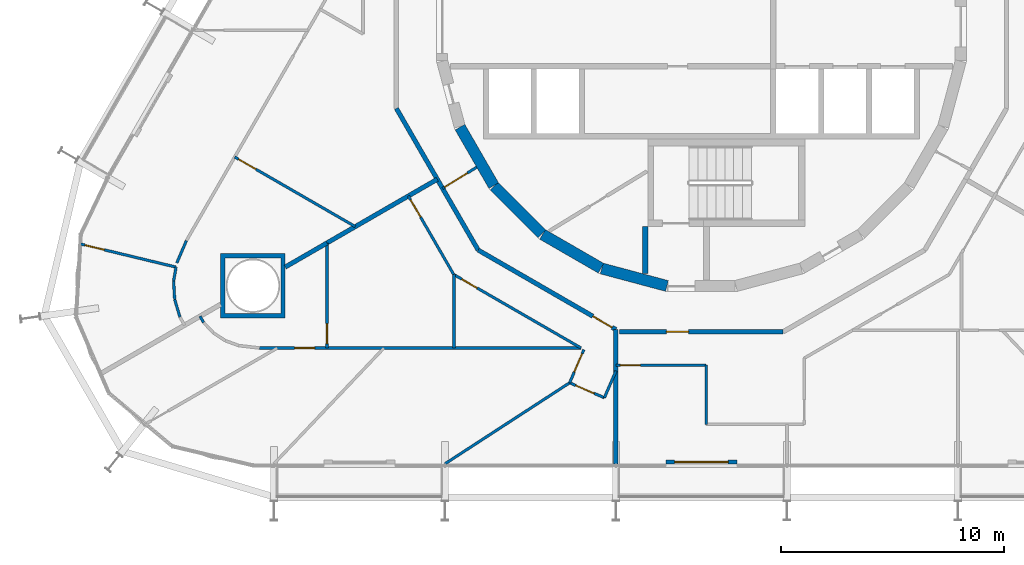
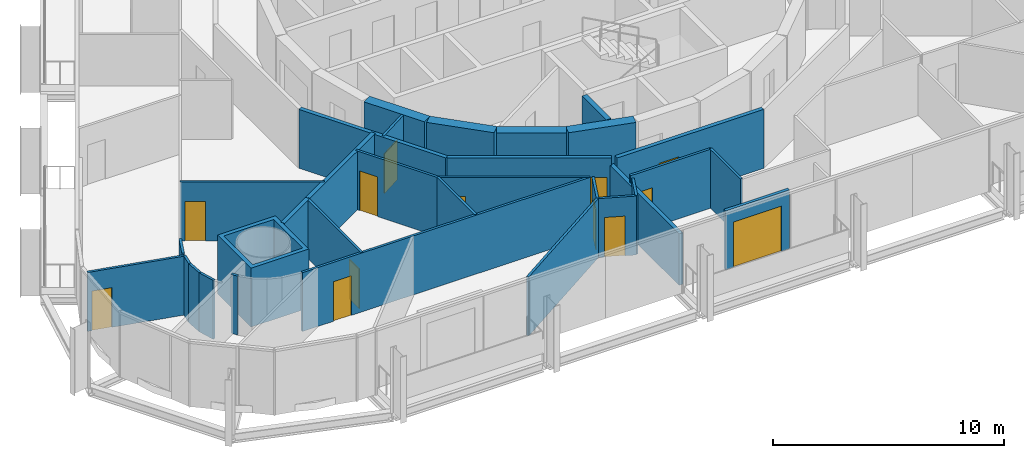
# One storey, part 13 of 21: 32 walls, 13 doors, 13 openings.
"""IFC4 building model written with IfcOpenShell, lengths in metres."""

from ifc_helpers import new_model, si_unit, direction, frame, frame_2d, origin, place, context, subcontext, project, spatial, polyline, rectangle, outline, extrude, material, layer, layer_set, type_object, element, fill, save


model = new_model("IFC4")

# Units and contexts
model_context = context("Model", 3, precision=1e-05, world=origin(), true_north=direction((0.0, 1.0)))
body_context = subcontext(model_context, "Body", "Model", "MODEL_VIEW")
ifc_project = project(units=[si_unit("LENGTHUNIT", "METRE"), si_unit("AREAUNIT", "SQUARE_METRE"), si_unit("VOLUMEUNIT", "CUBIC_METRE"), si_unit("PLANEANGLEUNIT", "RADIAN"), si_unit("MASSUNIT", "GRAM", prefix="KILO")], contexts=[model_context])

# Site, building, storey
site_placement = place(None, origin())
site = spatial("IfcSite", under=ifc_project, at=site_placement, CompositionType="ELEMENT")
building_placement = place(site_placement, origin())
building = spatial("IfcBuilding", under=site, at=building_placement, Name="Spindle Arch Residences", CompositionType="ELEMENT")
storey_placement = place(building_placement, frame((0.0, 0.0, 55.89990234375)))
storey = spatial("IfcBuildingStorey", under=building, at=storey_placement, Name="L12", CompositionType="ELEMENT", Elevation=55.89990234375)

# Walls
ifc_material_1 = material(Name="Concrete C50/60", Category="concrete")
ifc_layer_1 = layer(ifc_material_1, 0.5)
ifc_layer_set_1 = layer_set([ifc_layer_1], Name="Core outline wall 500")
wall_type_1 = type_object("IfcWallType", Name="Core outline wall 500", PredefinedType="SHEAR", material=ifc_layer_set_1)
wall_1_placement = place(storey_placement, frame((-10.84521484375, -4.510498046875, 0.0), z_axis=(0.0, 0.0, 1.0), x_axis=(0.500087131594, -0.865975092491, 0.0)))
element("IfcWall", 1, at=wall_1_placement, inside=storey, type_object=wall_type_1, Name="Core outline wall 20", PredefinedType="SHEAR", context=body_context, shape_type="SweptSolid", body=[
    extrude(rectangle(XDim=3.03271484375, YDim=0.5, at=frame_2d((1.516357421875, 0.0))), origin(), (0.0, 0.0, 1.0), 3.1201171875),
])
wall_2_placement = place(storey_placement, frame((-9.30810546875, -7.163818359375, 0.0), z_axis=(0.0, 0.0, 1.0), x_axis=(0.707106781187, -0.707106781187, 0.0)))
element("IfcWall", 2, at=wall_2_placement, inside=storey, type_object=wall_type_1, Name="Core outline wall 21", PredefinedType="SHEAR", context=body_context, shape_type="SweptSolid", body=[
    extrude(rectangle(XDim=3.032470703125, YDim=0.5, at=frame_2d((1.51611328125, 0.0))), origin(), (0.0, 0.0, 1.0), 3.1201171875),
])
for number, where, z_axis, x_axis, name in (
    (3, (-7.13671875, -9.32861328125, 0.0), (0.0, 0.0, 1.0), (0.865975092491, -0.500087131594, 0.0), "Core outline wall 22"),
    (4, (-4.479248046875, -10.858154296875, 0.0), (0.0, 0.0, 1.0), (0.965948410781, -0.258734743916, 0.0), "Core outline wall 23"),
):
    element("IfcWall", number, at=place(storey_placement, frame(where, z_axis=z_axis, x_axis=x_axis)), inside=storey, type_object=wall_type_1, Name=name, PredefinedType="SHEAR", context=body_context, shape_type="SweptSolid", body=[
        extrude(rectangle(XDim=3.03271484375, YDim=0.5, at=frame_2d((1.516357421875, 0.0))), origin(), (0.0, 0.0, 1.0), 3.1201171875),
    ])

# Wall, opening, door
ifc_material_2 = material(Name="Plasterboard on steel studs", Category="steel")
ifc_layer_2 = layer(ifc_material_2, 0.1201171875)
ifc_layer_set_2 = layer_set([ifc_layer_2], Name="Corridor division wall 120")
wall_type_2 = type_object("IfcWallType", Name="Corridor division wall 120", PredefinedType="PARTITIONING", material=ifc_layer_set_2)
wall_3_placement = place(storey_placement, frame((-11.625244140625, -7.264404296875, 0.0), z_axis=(0.0, 0.0, 1.0), x_axis=(0.84803632456, 0.529938102259, 0.0)))
wall_3 = element("IfcWall", 5, at=wall_3_placement, inside=storey, type_object=wall_type_2, Name="Corridor division wall R1B1-W003", PredefinedType="PARTITIONING", context=body_context, shape_type="SweptSolid", body=[
    extrude(rectangle(XDim=1.8037109375, YDim=0.1201171875, at=frame_2d((0.90185546875, 0.0))), origin(), (0.0, 0.0, 1.0), 3.1201171875),
])
opening_1_placement = place(wall_3_placement, frame((0.110107421875, 0.0, 0.0)))
opening_1 = element("IfcOpeningElement", 6, at=opening_1_placement, cuts=wall_3, Name="Opening R1B1-CD03", PredefinedType="OPENING", context=body_context, shape_type="SweptSolid", body=[
    extrude(rectangle(XDim=1.199951171875, YDim=2.10009765625, at=frame_2d((0.60009765625, 1.050048828125))), frame((0.0, 0.070068359375, 0.0), z_axis=(0.0, -1.0, 0.0), x_axis=(1.0, 0.0, 0.0)), (0.0, 0.0, 1.0), 0.14013671875),
])
ifc_material_3 = material(Name="Steel, fire-resisting door", Category="steel")
door_type_1 = type_object("IfcDoorType", Name="Corridor division door 1200x2100", OperationType="NOTDEFINED", PredefinedType="DOOR", material=ifc_material_3)
door_1_placement = place(opening_1_placement, origin())
door_1 = element("IfcDoor", 7, at=door_1_placement, inside=storey, type_object=door_type_1, Name="Corridor division door R1B1-CD03", OperationType="DOUBLE_DOOR_SINGLE_SWING", OverallHeight=2.10009765625, OverallWidth=1.199951171875, PredefinedType="DOOR", context=body_context, shape_type="SweptSolid", body=[
    extrude(rectangle(XDim=1.199951171875, YDim=2.10009765625, at=frame_2d((0.60009765625, 1.050048828125))), frame((0.0, 0.02490234375, 0.0), z_axis=(0.0, -1.0, 0.0), x_axis=(1.0, 0.0, 0.0)), (0.0, 0.0, 1.0), 0.050048828125),
])
fill(opening_1, door_1)

# Wall
ifc_material_4 = material(Name="Calcium silicate block, plastered")
ifc_layer_3 = layer(ifc_material_4, 0.199951171875)
ifc_layer_set_3 = layer_set([ifc_layer_3], Name="Corridor wall 200")
wall_type_3 = type_object("IfcWallType", Name="Corridor wall 200", PredefinedType="STANDARD", material=ifc_layer_set_3)
wall_4_placement = place(storey_placement, frame((-13.699951171875, -3.6708984375, 0.0), z_axis=(0.0, 0.0, 1.0), x_axis=(0.500001669485, -0.866024439905, 0.0)))
element("IfcWall", 8, at=wall_4_placement, inside=storey, type_object=wall_type_3, Name="Corridor wall R1B1-W012", PredefinedType="STANDARD", context=body_context, shape_type="SweptSolid", body=[
    extrude(rectangle(XDim=7.341796875, YDim=0.199951171875, at=frame_2d((3.6708984375, 0.0))), origin(), (0.0, 0.0, 1.0), 3.1201171875),
])

# Wall, opening, door
wall_5_placement = place(storey_placement, frame((-10.029052734375, -10.029052734375, 0.0), z_axis=(0.0, 0.0, 1.0), x_axis=(0.866022878987, -0.500004373052, 0.0)))
wall_5 = element("IfcWall", 9, at=wall_5_placement, inside=storey, type_object=wall_type_3, Name="Corridor wall R1B1-W013", PredefinedType="STANDARD", context=body_context, shape_type="SweptSolid", body=[
    extrude(rectangle(XDim=7.146484375, YDim=0.199951171875, at=frame_2d((3.5732421875, 0.0))), origin(), (0.0, 0.0, 1.0), 3.1201171875),
])
opening_2_placement = place(wall_5_placement, frame((5.946533203125, 0.0, 0.0)))
opening_2 = element("IfcOpeningElement", 10, at=opening_2_placement, cuts=wall_5, Name="Opening R1B1-FD04", PredefinedType="OPENING", context=body_context, shape_type="SweptSolid", body=[
    extrude(rectangle(XDim=1.0, YDim=2.10009765625, at=frame_2d((0.5, 1.050048828125))), frame((0.0, 0.10986328125, 0.0), z_axis=(0.0, -1.0, 0.0), x_axis=(1.0, 0.0, 0.0)), (0.0, 0.0, 1.0), 0.219970703125),
])
ifc_material_5 = material(Name="Timber, fire-resisting door set", Category="wood")
door_type_2 = type_object("IfcDoorType", Name="Flat entrance door 1000x2100", OperationType="NOTDEFINED", PredefinedType="DOOR", material=ifc_material_5)
door_2_placement = place(opening_2_placement, origin())
door_2 = element("IfcDoor", 11, at=door_2_placement, inside=storey, type_object=door_type_2, Name="Flat entrance door R1B1-FD04", OperationType="SINGLE_SWING_LEFT", OverallHeight=2.10009765625, OverallWidth=1.0, PredefinedType="DOOR", context=body_context, shape_type="SweptSolid", body=[
    extrude(rectangle(XDim=1.0, YDim=2.10009765625, at=frame_2d((0.5, 1.050048828125))), frame((0.0, 0.02490234375, 0.0), z_axis=(0.0, -1.0, 0.0), x_axis=(1.0, 0.0, 0.0)), (0.0, 0.0, 1.0), 0.050048828125),
])
fill(opening_2, door_2)

wall_6_placement = place(storey_placement, frame((-3.6708984375, -13.699951171875, 0.0), z_axis=(0.0, 0.0, 1.0), x_axis=(1.0, 0.0, 0.0)))
wall_6 = element("IfcWall", 12, at=wall_6_placement, inside=storey, type_object=wall_type_3, Name="Corridor wall R1B1-W014", PredefinedType="STANDARD", context=body_context, shape_type="SweptSolid", body=[
    extrude(rectangle(XDim=7.341796875, YDim=0.199951171875, at=frame_2d((3.6708984375, 0.0))), origin(), (0.0, 0.0, 1.0), 3.1201171875),
])
opening_3_placement = place(wall_6_placement, frame((2.10009765625, 0.0, 0.0)))
opening_3 = element("IfcOpeningElement", 13, at=opening_3_placement, cuts=wall_6, Name="Opening R1B1-FD05", PredefinedType="OPENING", context=body_context, shape_type="SweptSolid", body=[
    extrude(rectangle(XDim=1.0, YDim=2.10009765625, at=frame_2d((0.5, 1.050048828125))), frame((0.0, 0.10986328125, 0.0), z_axis=(0.0, -1.0, 0.0), x_axis=(1.0, 0.0, 0.0)), (0.0, 0.0, 1.0), 0.219970703125),
])
door_3_placement = place(opening_3_placement, origin())
door_3 = element("IfcDoor", 14, at=door_3_placement, inside=storey, type_object=door_type_2, Name="Flat entrance door R1B1-FD05", OperationType="SINGLE_SWING_LEFT", OverallHeight=2.10009765625, OverallWidth=1.0, PredefinedType="DOOR", context=body_context, shape_type="SweptSolid", body=[
    extrude(rectangle(XDim=1.0, YDim=2.10009765625, at=frame_2d((0.5, 1.050048828125))), frame((0.0, 0.02490234375, 0.0), z_axis=(0.0, -1.0, 0.0), x_axis=(1.0, 0.0, 0.0)), (0.0, 0.0, 1.0), 0.050048828125),
])
fill(opening_3, door_3)

ifc_material_6 = material(Name="Plasterboard on steel studs", Category="steel")
ifc_layer_4 = layer(ifc_material_6, 0.1201171875)
ifc_layer_set_4 = layer_set([ifc_layer_4], Name="Flat partition 120")
wall_type_4 = type_object("IfcWallType", Name="Flat partition 120", PredefinedType="PARTITIONING", material=ifc_layer_set_4)
wall_7_placement = place(storey_placement, frame((-20.96337890625, -5.849853515625, 0.0), z_axis=(0.0, 0.0, 1.0), x_axis=(0.866021746608, -0.500006334362, 0.0)))
wall_7 = element("IfcWall", 15, at=wall_7_placement, inside=storey, type_object=wall_type_4, Name="Flat partition R1B1-W069", PredefinedType="PARTITIONING", context=body_context, shape_type="SweptSolid", body=[
    extrude(rectangle(XDim=6.25341796875, YDim=0.1201171875, at=frame_2d((3.126708984375, 0.0))), origin(), (0.0, 0.0, 1.0), 3.1201171875),
])
opening_4_placement = place(wall_7_placement, frame((0.199951171875, 0.0, 0.0)))
opening_4 = element("IfcOpeningElement", 16, at=opening_4_placement, cuts=wall_7, Name="Opening R1B1-ID15", PredefinedType="OPENING", context=body_context, shape_type="SweptSolid", body=[
    extrude(rectangle(XDim=0.89990234375, YDim=2.10009765625, at=frame_2d((0.449951171875, 1.050048828125))), frame((0.0, 0.070068359375, 0.0), z_axis=(0.0, -1.0, 0.0), x_axis=(1.0, 0.0, 0.0)), (0.0, 0.0, 1.0), 0.14013671875),
])
ifc_material_7 = material(Name="Timber door set", Category="wood")
door_type_3 = type_object("IfcDoorType", Name="Room door 900x2100", OperationType="NOTDEFINED", PredefinedType="DOOR", material=ifc_material_7)
door_4_placement = place(opening_4_placement, origin())
door_4 = element("IfcDoor", 17, at=door_4_placement, inside=storey, type_object=door_type_3, Name="Room door R1B1-ID15", OperationType="SINGLE_SWING_RIGHT", OverallHeight=2.10009765625, OverallWidth=0.89990234375, PredefinedType="DOOR", context=body_context, shape_type="SweptSolid", body=[
    extrude(rectangle(XDim=0.89990234375, YDim=2.10009765625, at=frame_2d((0.449951171875, 1.050048828125))), frame((0.0, 0.02490234375, 0.0), z_axis=(0.0, -1.0, 0.0), x_axis=(1.0, 0.0, 0.0)), (0.0, 0.0, 1.0), 0.050048828125),
])
fill(opening_4, door_4)

# Wall
wall_8_placement = place(storey_placement, frame((-23.563720703125, -10.60595703125, 0.0), z_axis=(0.0, 0.0, 1.0), x_axis=(0.396195073027, 0.918166359713, 0.0)))
element("IfcWall", 18, at=wall_8_placement, inside=storey, type_object=wall_type_4, Name="Flat partition R1B1-W072", PredefinedType="PARTITIONING", context=body_context, shape_type="SweptSolid", body=[
    extrude(rectangle(XDim=1.0869140625, YDim=0.1201171875, at=frame_2d((0.54345703125, 0.0))), origin(), (0.0, 0.0, 1.0), 3.1201171875),
])

# Wall, opening, door
wall_9_placement = place(storey_placement, frame((-27.8828125, -9.76220703125, 0.0), z_axis=(0.0, 0.0, 1.0), x_axis=(0.972097015458, -0.234579181809, 0.0)))
wall_9 = element("IfcWall", 19, at=wall_9_placement, inside=storey, type_object=wall_type_4, Name="Flat partition R1B1-W073", PredefinedType="PARTITIONING", context=body_context, shape_type="SweptSolid", body=[
    extrude(rectangle(XDim=4.40869140625, YDim=0.1201171875, at=frame_2d((2.204345703125, 0.0))), origin(), (0.0, 0.0, 1.0), 3.1201171875),
])
opening_5_placement = place(wall_9_placement, frame((0.199951171875, 0.0, 0.0)))
opening_5 = element("IfcOpeningElement", 20, at=opening_5_placement, cuts=wall_9, Name="Opening R1B1-ID17", PredefinedType="OPENING", context=body_context, shape_type="SweptSolid", body=[
    extrude(rectangle(XDim=0.89990234375, YDim=2.10009765625, at=frame_2d((0.449951171875, 1.050048828125))), frame((0.0, 0.070068359375, 0.0), z_axis=(0.0, -1.0, 0.0), x_axis=(1.0, 0.0, 0.0)), (0.0, 0.0, 1.0), 0.14013671875),
])
door_5_placement = place(opening_5_placement, origin())
door_5 = element("IfcDoor", 21, at=door_5_placement, inside=storey, type_object=door_type_3, Name="Room door R1B1-ID17", OperationType="SINGLE_SWING_RIGHT", OverallHeight=2.10009765625, OverallWidth=0.89990234375, PredefinedType="DOOR", context=body_context, shape_type="SweptSolid", body=[
    extrude(rectangle(XDim=0.89990234375, YDim=2.10009765625, at=frame_2d((0.449951171875, 1.050048828125))), frame((0.0, 0.02490234375, 0.0), z_axis=(0.0, -1.0, 0.0), x_axis=(1.0, 0.0, 0.0)), (0.0, 0.0, 1.0), 0.050048828125),
])
fill(opening_5, door_5)

# Walls
wall_10_placement = place(storey_placement, frame((-23.59716796875, -10.79638671875, 0.0), z_axis=(0.0, 0.0, 1.0), x_axis=(-0.173610040386, -0.984814476882, 0.0)))
element("IfcWall", 22, at=wall_10_placement, inside=storey, type_object=wall_type_4, Name="Flat partition R1B1-W074", PredefinedType="PARTITIONING", context=body_context, shape_type="SweptSolid", body=[
    extrude(rectangle(XDim=0.6357421875, YDim=0.1201171875, at=frame_2d((0.31787109375, 0.0))), origin(), (0.0, 0.0, 1.0), 3.1201171875),
])
wall_11_placement = place(storey_placement, frame((-23.70751953125, -11.42236328125, 0.0), z_axis=(0.0, 0.0, 1.0), x_axis=(0.058031280246, -0.998314765248, 0.0)))
element("IfcWall", 23, at=wall_11_placement, inside=storey, type_object=wall_type_4, Name="Flat partition R1B1-W075", PredefinedType="PARTITIONING", context=body_context, shape_type="SweptSolid", body=[
    extrude(rectangle(XDim=0.828857421875, YDim=0.1201171875, at=frame_2d((0.41455078125, 0.0))), origin(), (0.0, 0.0, 1.0), 3.1201171875),
])
wall_12_placement = place(storey_placement, frame((-23.659423828125, -12.249755859375, 0.0), z_axis=(0.0, 0.0, 1.0), x_axis=(0.286834510868, -0.957980147694, 0.0)))
element("IfcWall", 24, at=wall_12_placement, inside=storey, type_object=wall_type_4, Name="Flat partition R1B1-W076", PredefinedType="PARTITIONING", context=body_context, shape_type="SweptSolid", body=[
    extrude(rectangle(XDim=0.8291015625, YDim=0.1201171875, at=frame_2d((0.41455078125, 0.0))), origin(), (0.0, 0.0, 1.0), 3.1201171875),
])

# Wall, opening, door
wall_13_placement = place(storey_placement, frame((-13.16357421875, -7.60009765625, 0.0), z_axis=(0.0, 0.0, 1.0), x_axis=(0.500000928893, -0.866024867487, 0.0)))
wall_13 = element("IfcWall", 25, at=wall_13_placement, inside=storey, type_object=wall_type_4, Name="Flat partition R1B1-W078", PredefinedType="PARTITIONING", context=body_context, shape_type="SweptSolid", body=[
    extrude(rectangle(XDim=4.07275390625, YDim=0.1201171875, at=frame_2d((2.036376953125, 0.0))), origin(), (0.0, 0.0, 1.0), 3.1201171875),
])
opening_6_placement = place(wall_13_placement, frame((0.199951171875, 0.0, 0.0)))
opening_6 = element("IfcOpeningElement", 26, at=opening_6_placement, cuts=wall_13, Name="Opening R1B1-ID18", PredefinedType="OPENING", context=body_context, shape_type="SweptSolid", body=[
    extrude(rectangle(XDim=0.89990234375, YDim=2.10009765625, at=frame_2d((0.449951171875, 1.050048828125))), frame((0.0, 0.070068359375, 0.0), z_axis=(0.0, -1.0, 0.0), x_axis=(1.0, 0.0, 0.0)), (0.0, 0.0, 1.0), 0.14013671875),
])
door_6_placement = place(opening_6_placement, origin())
door_6 = element("IfcDoor", 27, at=door_6_placement, inside=storey, type_object=door_type_3, Name="Room door R1B1-ID18", OperationType="SINGLE_SWING_LEFT", OverallHeight=2.10009765625, OverallWidth=0.89990234375, PredefinedType="DOOR", context=body_context, shape_type="SweptSolid", body=[
    extrude(rectangle(XDim=0.89990234375, YDim=2.10009765625, at=frame_2d((0.449951171875, 1.050048828125))), frame((0.0, 0.02490234375, 0.0), z_axis=(0.0, -1.0, 0.0), x_axis=(1.0, 0.0, 0.0)), (0.0, 0.0, 1.0), 0.050048828125),
])
fill(opening_6, door_6)

wall_14_placement = place(storey_placement, frame((-5.2802734375, -14.5029296875, 0.0), z_axis=(0.0, 0.0, 1.0), x_axis=(-0.395209511122, -0.918591009274, 0.0)))
wall_14 = element("IfcWall", 28, at=wall_14_placement, inside=storey, type_object=wall_type_4, Name="Flat partition R1B1-W079", PredefinedType="PARTITIONING", context=body_context, shape_type="SweptSolid", body=[
    extrude(rectangle(XDim=1.62109375, YDim=0.1201171875, at=frame_2d((0.810546875, 0.0))), origin(), (0.0, 0.0, 1.0), 3.1201171875),
])
opening_7_placement = place(wall_14_placement, frame((0.199951171875, 0.0, 0.0)))
opening_7 = element("IfcOpeningElement", 29, at=opening_7_placement, cuts=wall_14, Name="Opening R1B1-ID19", PredefinedType="OPENING", context=body_context, shape_type="SweptSolid", body=[
    extrude(rectangle(XDim=0.89990234375, YDim=2.10009765625, at=frame_2d((0.449951171875, 1.050048828125))), frame((0.0, 0.070068359375, 0.0), z_axis=(0.0, -1.0, 0.0), x_axis=(1.0, 0.0, 0.0)), (0.0, 0.0, 1.0), 0.14013671875),
])
door_7_placement = place(opening_7_placement, origin())
door_7 = element("IfcDoor", 30, at=door_7_placement, inside=storey, type_object=door_type_3, Name="Room door R1B1-ID19", OperationType="SINGLE_SWING_RIGHT", OverallHeight=2.10009765625, OverallWidth=0.89990234375, PredefinedType="DOOR", context=body_context, shape_type="SweptSolid", body=[
    extrude(rectangle(XDim=0.89990234375, YDim=2.10009765625, at=frame_2d((0.449951171875, 1.050048828125))), frame((0.0, 0.02490234375, 0.0), z_axis=(0.0, -1.0, 0.0), x_axis=(1.0, 0.0, 0.0)), (0.0, 0.0, 1.0), 0.050048828125),
])
fill(opening_7, door_7)

wall_15_placement = place(storey_placement, frame((-11.11181640625, -11.135986328125, 0.0), z_axis=(0.0, 0.0, 1.0), x_axis=(0.866017718408, -0.500013311227, 0.0)))
wall_15 = element("IfcWall", 31, at=wall_15_placement, inside=storey, type_object=wall_type_4, Name="Flat partition R1B1-W080", PredefinedType="PARTITIONING", context=body_context, shape_type="SweptSolid", body=[
    extrude(rectangle(XDim=6.587646484375, YDim=0.1201171875, at=frame_2d((3.2939453125, 0.0))), origin(), (0.0, 0.0, 1.0), 3.1201171875),
])
opening_8_placement = place(wall_15_placement, frame((0.39990234375, 0.0, 0.0)))
opening_8 = element("IfcOpeningElement", 32, at=opening_8_placement, cuts=wall_15, Name="Opening R1B1-BD04", PredefinedType="OPENING", context=body_context, shape_type="SweptSolid", body=[
    extrude(rectangle(XDim=0.800048828125, YDim=2.10009765625, at=frame_2d((0.39990234375, 1.050048828125))), frame((0.0, 0.070068359375, 0.0), z_axis=(0.0, -1.0, 0.0), x_axis=(1.0, 0.0, 0.0)), (0.0, 0.0, 1.0), 0.14013671875),
])
ifc_material_8 = material(Name="Timber door set", Category="wood")
door_type_4 = type_object("IfcDoorType", Name="Bathroom door 800x2100", OperationType="NOTDEFINED", PredefinedType="DOOR", material=ifc_material_8)
door_8_placement = place(opening_8_placement, origin())
door_8 = element("IfcDoor", 33, at=door_8_placement, inside=storey, type_object=door_type_4, Name="Bathroom door R1B1-BD04", OperationType="SINGLE_SWING_LEFT", OverallHeight=2.10009765625, OverallWidth=0.800048828125, PredefinedType="DOOR", context=body_context, shape_type="SweptSolid", body=[
    extrude(rectangle(XDim=0.800048828125, YDim=2.10009765625, at=frame_2d((0.39990234375, 1.050048828125))), frame((0.0, 0.02490234375, 0.0), z_axis=(0.0, -1.0, 0.0), x_axis=(1.0, 0.0, 0.0)), (0.0, 0.0, 1.0), 0.050048828125),
])
fill(opening_8, door_8)

wall_16_placement = place(storey_placement, frame((-5.9208984375, -15.991943359375, 0.0), z_axis=(0.0, 0.0, 1.0), x_axis=(0.918557080237, -0.395288363536, 0.0)))
wall_16 = element("IfcWall", 34, at=wall_16_placement, inside=storey, type_object=wall_type_4, Name="Flat partition R1B1-W081", PredefinedType="PARTITIONING", context=body_context, shape_type="SweptSolid", body=[
    extrude(rectangle(XDim=1.69970703125, YDim=0.1201171875, at=frame_2d((0.849853515625, 0.0))), origin(), (0.0, 0.0, 1.0), 3.1201171875),
])
opening_9_placement = place(wall_16_placement, frame((0.300048828125, 0.0, 0.0)))
opening_9 = element("IfcOpeningElement", 35, at=opening_9_placement, cuts=wall_16, Name="Opening R1B1-ID20", PredefinedType="OPENING", context=body_context, shape_type="SweptSolid", body=[
    extrude(rectangle(XDim=0.89990234375, YDim=2.10009765625, at=frame_2d((0.449951171875, 1.050048828125))), frame((0.0, 0.070068359375, 0.0), z_axis=(0.0, -1.0, 0.0), x_axis=(1.0, 0.0, 0.0)), (0.0, 0.0, 1.0), 0.14013671875),
])
door_9_placement = place(opening_9_placement, origin())
door_9 = element("IfcDoor", 36, at=door_9_placement, inside=storey, type_object=door_type_3, Name="Room door R1B1-ID20", OperationType="SINGLE_SWING_LEFT", OverallHeight=2.10009765625, OverallWidth=0.89990234375, PredefinedType="DOOR", context=body_context, shape_type="SweptSolid", body=[
    extrude(rectangle(XDim=0.89990234375, YDim=2.10009765625, at=frame_2d((0.449951171875, 1.050048828125))), frame((0.0, 0.02490234375, 0.0), z_axis=(0.0, -1.0, 0.0), x_axis=(1.0, 0.0, 0.0)), (0.0, 0.0, 1.0), 0.050048828125),
])
fill(opening_9, door_9)

# Wall
wall_17_placement = place(storey_placement, frame((-4.359619140625, -16.663818359375, 0.0), z_axis=(0.0, 0.0, 1.0), x_axis=(0.395353859705, 0.918528892097, 0.0)))
element("IfcWall", 37, at=wall_17_placement, inside=storey, type_object=wall_type_4, Name="Flat partition R1B1-W082", PredefinedType="PARTITIONING", context=body_context, shape_type="SweptSolid", body=[
    extrude(rectangle(XDim=1.314208984375, YDim=0.1201171875, at=frame_2d((0.6572265625, 0.0))), origin(), (0.0, 0.0, 1.0), 3.1201171875),
])

# Wall, opening, door
wall_18_placement = place(storey_placement, frame((-5.40673828125, -14.429931640625, 0.0), z_axis=(0.0, 0.0, 1.0), x_axis=(-1.0, 0.0, 0.0)))
wall_18 = element("IfcWall", 38, at=wall_18_placement, inside=storey, type_object=wall_type_4, Name="Flat partition R1B1-W083", PredefinedType="PARTITIONING", context=body_context, shape_type="SweptSolid", body=[
    extrude(rectangle(XDim=14.43408203125, YDim=0.1201171875, at=frame_2d((7.217041015625, 0.0))), origin(), (0.0, 0.0, 1.0), 3.1201171875),
])
opening_10_placement = place(wall_18_placement, frame((11.969970703125, 0.0, 0.0)))
opening_10 = element("IfcOpeningElement", 39, at=opening_10_placement, cuts=wall_18, Name="Opening R1B1-ID22", PredefinedType="OPENING", context=body_context, shape_type="SweptSolid", body=[
    extrude(rectangle(XDim=0.89990234375, YDim=2.10009765625, at=frame_2d((0.449951171875, 1.050048828125))), frame((0.0, 0.070068359375, 0.0), z_axis=(0.0, -1.0, 0.0), x_axis=(1.0, 0.0, 0.0)), (0.0, 0.0, 1.0), 0.14013671875),
])
door_10_placement = place(opening_10_placement, origin())
door_10 = element("IfcDoor", 40, at=door_10_placement, inside=storey, type_object=door_type_3, Name="Room door R1B1-ID22", OperationType="SINGLE_SWING_LEFT", OverallHeight=2.10009765625, OverallWidth=0.89990234375, PredefinedType="DOOR", context=body_context, shape_type="SweptSolid", body=[
    extrude(rectangle(XDim=0.89990234375, YDim=2.10009765625, at=frame_2d((0.449951171875, 1.050048828125))), frame((0.0, 0.02490234375, 0.0), z_axis=(0.0, -1.0, 0.0), x_axis=(1.0, 0.0, 0.0)), (0.0, 0.0, 1.0), 0.050048828125),
])
fill(opening_10, door_10)

# Wall
wall_19_placement = place(storey_placement, frame((-22.361083984375, -13.281005859375, 0.0), z_axis=(0.0, 0.0, 1.0), x_axis=(-0.499656614129, 0.86622356696, 0.0)))
element("IfcWall", 41, at=wall_19_placement, inside=storey, type_object=wall_type_4, Name="Flat partition R1B1-W088", PredefinedType="PARTITIONING", context=body_context, shape_type="SweptSolid", body=[
    extrude(rectangle(XDim=0.321044921875, YDim=0.1201171875, at=frame_2d((0.16064453125, 0.0))), origin(), (0.0, 0.0, 1.0), 3.1201171875),
])

# Wall, opening, door
wall_20_placement = place(storey_placement, frame((-16.816650390625, -14.429931640625, 0.0), z_axis=(0.0, 0.0, 1.0), x_axis=(0.0, 1.0, 0.0)))
wall_20 = element("IfcWall", 42, at=wall_20_placement, inside=storey, type_object=wall_type_4, Name="Flat partition R1B1-W090", PredefinedType="PARTITIONING", context=body_context, shape_type="SweptSolid", body=[
    extrude(rectangle(XDim=4.720947265625, YDim=0.1201171875, at=frame_2d((2.3603515625, 0.0))), origin(), (0.0, 0.0, 1.0), 3.1201171875),
])
opening_11_placement = place(wall_20_placement, frame((0.199951171875, 0.0, 0.0)))
opening_11 = element("IfcOpeningElement", 43, at=opening_11_placement, cuts=wall_20, Name="Opening R1B1-ID21", PredefinedType="OPENING", context=body_context, shape_type="SweptSolid", body=[
    extrude(rectangle(XDim=0.89990234375, YDim=2.10009765625, at=frame_2d((0.449951171875, 1.050048828125))), frame((0.0, 0.070068359375, 0.0), z_axis=(0.0, -1.0, 0.0), x_axis=(1.0, 0.0, 0.0)), (0.0, 0.0, 1.0), 0.14013671875),
])
door_11_placement = place(opening_11_placement, origin())
door_11 = element("IfcDoor", 44, at=door_11_placement, inside=storey, type_object=door_type_3, Name="Room door R1B1-ID21", OperationType="SINGLE_SWING_LEFT", OverallHeight=2.10009765625, OverallWidth=0.89990234375, PredefinedType="DOOR", context=body_context, shape_type="SweptSolid", body=[
    extrude(rectangle(XDim=0.89990234375, YDim=2.10009765625, at=frame_2d((0.449951171875, 1.050048828125))), frame((0.0, 0.02490234375, 0.0), z_axis=(0.0, -1.0, 0.0), x_axis=(1.0, 0.0, 0.0)), (0.0, 0.0, 1.0), 0.050048828125),
])
fill(opening_11, door_11)

# Walls
wall_21_placement = place(storey_placement, frame((-11.11181640625, -14.429931640625, 0.0), z_axis=(0.0, 0.0, 1.0), x_axis=(0.0, 1.0, 0.0)))
element("IfcWall", 45, at=wall_21_placement, inside=storey, type_object=wall_type_4, Name="Flat partition R1B1-W091", PredefinedType="PARTITIONING", context=body_context, shape_type="SweptSolid", body=[
    extrude(rectangle(XDim=3.2939453125, YDim=0.1201171875, at=frame_2d((1.64697265625, 0.0))), origin(), (0.0, 0.0, 1.0), 3.1201171875),
])
wall_22_placement = place(storey_placement, frame((-11.52001953125, -19.6298828125, 0.0), z_axis=(0.0, 0.0, 1.0), x_axis=(0.838545516556, 0.544831548888, 0.0)))
element("IfcWall", 46, at=wall_22_placement, inside=storey, type_object=wall_type_4, Name="Flat partition R1B1-W093", PredefinedType="PARTITIONING", context=body_context, shape_type="SweptSolid", body=[
    extrude(rectangle(XDim=6.67724609375, YDim=0.1201171875, at=frame_2d((3.338623046875, 0.0))), origin(), (0.0, 0.0, 1.0), 3.1201171875),
])

# Wall, opening, door
wall_23_placement = place(storey_placement, frame((-3.840087890625, -15.199951171875, 0.0), z_axis=(0.0, 0.0, 1.0), x_axis=(1.0, 0.0, 0.0)))
wall_23 = element("IfcWall", 47, at=wall_23_placement, inside=storey, type_object=wall_type_4, Name="Flat partition R1B1-W094", PredefinedType="PARTITIONING", context=body_context, shape_type="SweptSolid", body=[
    extrude(rectangle(XDim=4.052490234375, YDim=0.1201171875, at=frame_2d((2.0263671875, 0.0))), origin(), (0.0, 0.0, 1.0), 3.1201171875),
])
opening_12_placement = place(wall_23_placement, frame((0.199951171875, 0.0, 0.0)))
opening_12 = element("IfcOpeningElement", 48, at=opening_12_placement, cuts=wall_23, Name="Opening R1B1-ID24", PredefinedType="OPENING", context=body_context, shape_type="SweptSolid", body=[
    extrude(rectangle(XDim=0.89990234375, YDim=2.10009765625, at=frame_2d((0.449951171875, 1.050048828125))), frame((0.0, 0.070068359375, 0.0), z_axis=(0.0, -1.0, 0.0), x_axis=(1.0, 0.0, 0.0)), (0.0, 0.0, 1.0), 0.14013671875),
])
door_12_placement = place(opening_12_placement, origin())
door_12 = element("IfcDoor", 49, at=door_12_placement, inside=storey, type_object=door_type_3, Name="Room door R1B1-ID24", OperationType="SINGLE_SWING_LEFT", OverallHeight=2.10009765625, OverallWidth=0.89990234375, PredefinedType="DOOR", context=body_context, shape_type="SweptSolid", body=[
    extrude(rectangle(XDim=0.89990234375, YDim=2.10009765625, at=frame_2d((0.449951171875, 1.050048828125))), frame((0.0, 0.02490234375, 0.0), z_axis=(0.0, -1.0, 0.0), x_axis=(1.0, 0.0, 0.0)), (0.0, 0.0, 1.0), 0.050048828125),
])
fill(opening_12, door_12)

# Walls
wall_24_placement = place(storey_placement, frame((0.21240234375, -15.199951171875, 0.0), z_axis=(0.0, 0.0, 1.0), x_axis=(0.0, -1.0, 0.0)))
element("IfcWall", 50, at=wall_24_placement, inside=storey, type_object=wall_type_4, Name="Flat partition R1B1-W095", PredefinedType="PARTITIONING", context=body_context, shape_type="SweptSolid", body=[
    extrude(rectangle(XDim=2.6533203125, YDim=0.1201171875, at=frame_2d((1.32666015625, 0.0))), origin(), (0.0, 0.0, 1.0), 3.1201171875),
])
ifc_material_9 = material(Name="Calcium silicate block, plastered")
ifc_layer_5 = layer(ifc_material_9, 0.199951171875)
ifc_layer_set_5 = layer_set([ifc_layer_5], Name="Flat party wall 200")
wall_type_5 = type_object("IfcWallType", Name="Flat party wall 200", PredefinedType="STANDARD", material=ifc_layer_set_5)
wall_25_placement = place(storey_placement, frame((-16.816650390625, -9.708984375, 0.0), z_axis=(0.0, 0.0, 1.0), x_axis=(0.86604338933, 0.499968846828, 0.0)))
element("IfcWall", 51, at=wall_25_placement, inside=storey, type_object=wall_type_5, Name="Flat party wall R1B1-W022", PredefinedType="STANDARD", context=body_context, shape_type="SweptSolid", body=[
    extrude(rectangle(XDim=5.718017578125, YDim=0.199951171875, at=frame_2d((2.85888671875, 0.0))), origin(), (0.0, 0.0, 1.0), 3.1201171875),
])
wall_26_placement = place(storey_placement, frame((-18.693603515625, -10.792724609375, 0.0), z_axis=(0.0, 0.0, 1.0), x_axis=(0.866009251978, 0.500027974705, 0.0)))
element("IfcWall", 52, at=wall_26_placement, inside=storey, type_object=wall_type_5, Name="Flat party wall R1B1-W024", PredefinedType="STANDARD", context=body_context, shape_type="SweptSolid", body=[
    extrude(rectangle(XDim=2.16748046875, YDim=0.199951171875, at=frame_2d((1.083740234375, 0.0))), origin(), (0.0, 0.0, 1.0), 3.1201171875),
])
ifc_material_10 = material(Name="Calcium silicate block, plastered")
ifc_layer_6 = layer(ifc_material_10, 0.199951171875)
ifc_layer_set_6 = layer_set([ifc_layer_6], Name="Flat party wall 200 under beam 2730")
wall_type_6 = type_object("IfcWallType", Name="Flat party wall 200 under beam 2730", PredefinedType="STANDARD", material=ifc_layer_set_6)
wall_27_placement = place(storey_placement, frame((-3.840087890625, -19.6298828125, 0.0), z_axis=(0.0, 0.0, 1.0), x_axis=(0.0, 1.0, 0.0)))
element("IfcWall", 53, at=wall_27_placement, inside=storey, type_object=wall_type_6, Name="Flat party wall R1B1-W025", PredefinedType="STANDARD", context=body_context, shape_type="SweptSolid", body=[
    extrude(rectangle(XDim=6.027587890625, YDim=0.199951171875, at=frame_2d((3.013671875, 0.0))), origin(), (0.0, 0.0, 1.0), 2.72998046875),
])

# Wall, opening, door
ifc_material_11 = material(Name="Non-combustible mineral wool insulated aluminium faced external wall (K0)", Category="aluminium")
ifc_layer_7 = layer(ifc_material_11, 0.159912109375)
ifc_layer_set_7 = layer_set([ifc_layer_7], Name="Insulated external wall panel 160")
wall_type_7 = type_object("IfcWallType", Name="Insulated external wall panel 160", PredefinedType="STANDARD", material=ifc_layer_set_7)
wall_28_placement = place(storey_placement, frame((-1.60009765625, -19.5498046875, 0.0), z_axis=(0.0, 0.0, 1.0), x_axis=(1.0, 0.0, 0.0)))
wall_28 = element("IfcWall", 54, at=wall_28_placement, inside=storey, type_object=wall_type_7, Name="External wall L12 bay 24", PredefinedType="STANDARD", context=body_context, shape_type="SweptSolid", body=[
    extrude(rectangle(XDim=3.2001953125, YDim=0.159912109375, at=frame_2d((1.60009765625, 0.0))), origin(), (0.0, 0.0, 1.0), 3.1201171875),
])
opening_13_placement = place(wall_28_placement, frame((0.39990234375, 0.0, 0.0)))
opening_13 = element("IfcOpeningElement", 55, at=opening_13_placement, cuts=wall_28, Name="Opening BD24", PredefinedType="OPENING", context=body_context, shape_type="SweptSolid", body=[
    extrude(rectangle(XDim=2.39990234375, YDim=2.39990234375, at=frame_2d((1.199951171875, 1.199951171875))), frame((0.0, 0.08984375, 0.0), z_axis=(0.0, -1.0, 0.0), x_axis=(1.0, 0.0, 0.0)), (0.0, 0.0, 1.0), 0.179931640625),
])
ifc_material_12 = material(Name="Bronze aluminium frame, tinted double glazing", Category="aluminium")
door_type_5 = type_object("IfcDoorType", Name="Sliding glazed balcony door 2400x2400", OperationType="DOUBLE_DOOR_SLIDING", PredefinedType="DOOR", material=ifc_material_12)
door_13_placement = place(opening_13_placement, origin())
door_13 = element("IfcDoor", 56, at=door_13_placement, inside=storey, type_object=door_type_5, Name="Balcony door BD24", OperationType="DOUBLE_DOOR_SLIDING", OverallHeight=2.39990234375, OverallWidth=2.39990234375, PredefinedType="DOOR", context=body_context, shape_type="SweptSolid", body=[
    extrude(rectangle(XDim=2.39990234375, YDim=2.39990234375, at=frame_2d((1.199951171875, 1.199951171875))), frame((0.0, 0.02490234375, 0.0), z_axis=(0.0, -1.0, 0.0), x_axis=(1.0, 0.0, 0.0)), (0.0, 0.0, 1.0), 0.050048828125),
])
fill(opening_13, door_13)

# Walls
ifc_material_13 = material(Name="Calcium silicate block, plastered")
ifc_layer_8 = layer(ifc_material_13, 0.199951171875)
ifc_layer_set_8 = layer_set([ifc_layer_8], Name="Mega-column casing wall 200")
wall_type_8 = type_object("IfcWallType", Name="Mega-column casing wall 200", PredefinedType="STANDARD", material=ifc_layer_set_8)
wall_29_placement = place(storey_placement, origin())
element("IfcWall", 57, at=wall_29_placement, inside=storey, type_object=wall_type_8, Name="Mega-column casing wall R1B1-WC02", PredefinedType="STANDARD", context=body_context, shape_type="SweptSolid", body=[
    extrude(outline(polyline([(-18.693603515625, -10.179931640625), (-18.693603515625, -13.079833984375), (-21.593505859375, -13.079833984375), (-21.593505859375, -10.179931640625), (-18.693603515625, -10.179931640625)]), holes=[polyline([(-21.3935546875, -12.8798828125), (-18.8935546875, -12.8798828125), (-18.8935546875, -10.3798828125), (-21.3935546875, -10.3798828125), (-21.3935546875, -12.8798828125)])]), origin(), (0.0, 0.0, 1.0), 3.1201171875),
])
ifc_material_14 = material(Name="Concrete C40/50", Category="concrete")
ifc_layer_9 = layer(ifc_material_14, 0.25)
ifc_layer_set_9 = layer_set([ifc_layer_9], Name="Stair airlock wall 250")
wall_type_9 = type_object("IfcWallType", Name="Stair airlock wall 250", PredefinedType="SHEAR", material=ifc_layer_set_9)
wall_30_placement = place(storey_placement, frame((-2.52490234375, -8.969970703125, 0.0), z_axis=(0.0, 0.0, 1.0), x_axis=(0.0, -1.0, 0.0)))
element("IfcWall", 58, at=wall_30_placement, inside=storey, type_object=wall_type_9, Name="Stair ST-3 airlock wall W", PredefinedType="SHEAR", context=body_context, shape_type="SweptSolid", body=[
    extrude(rectangle(XDim=2.110107421875, YDim=0.25, at=frame_2d((1.05517578125, 0.0))), origin(), (0.0, 0.0, 1.0), 3.1201171875),
])

save(model, "model.ifc")
